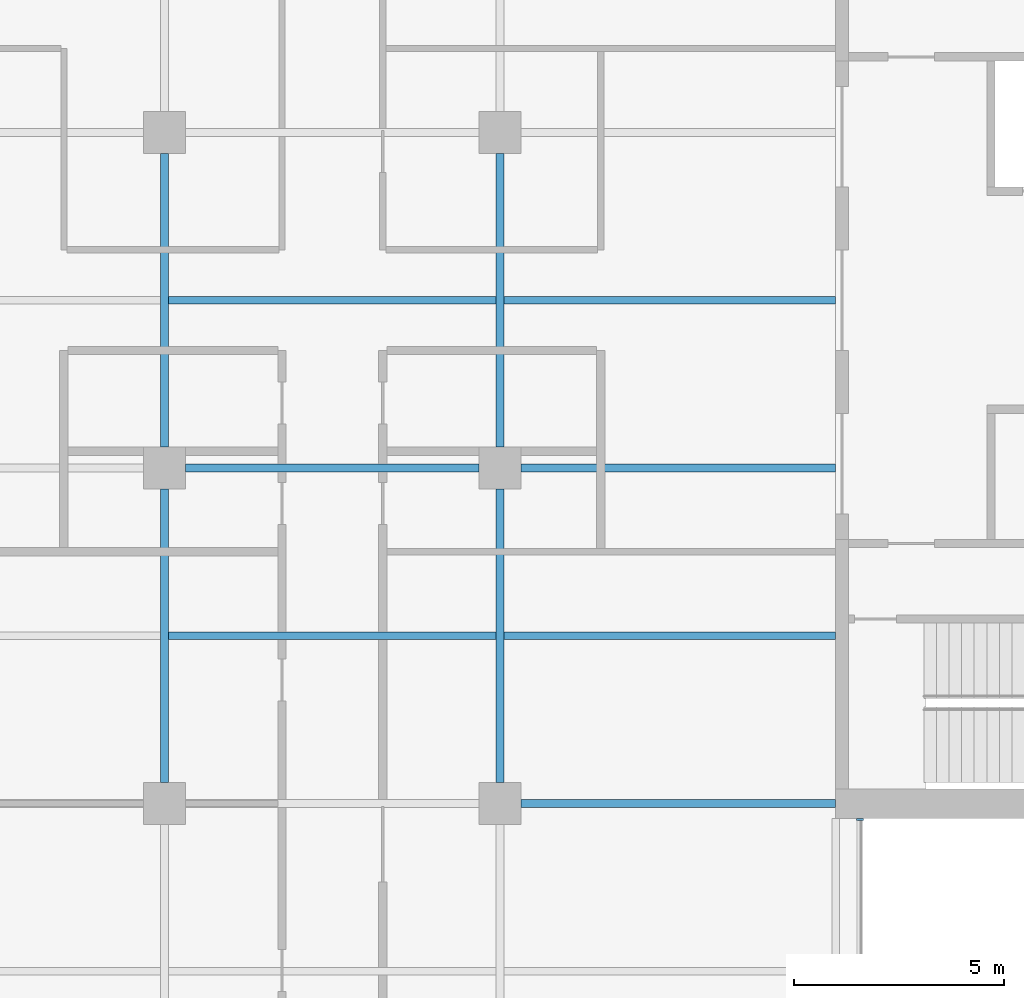
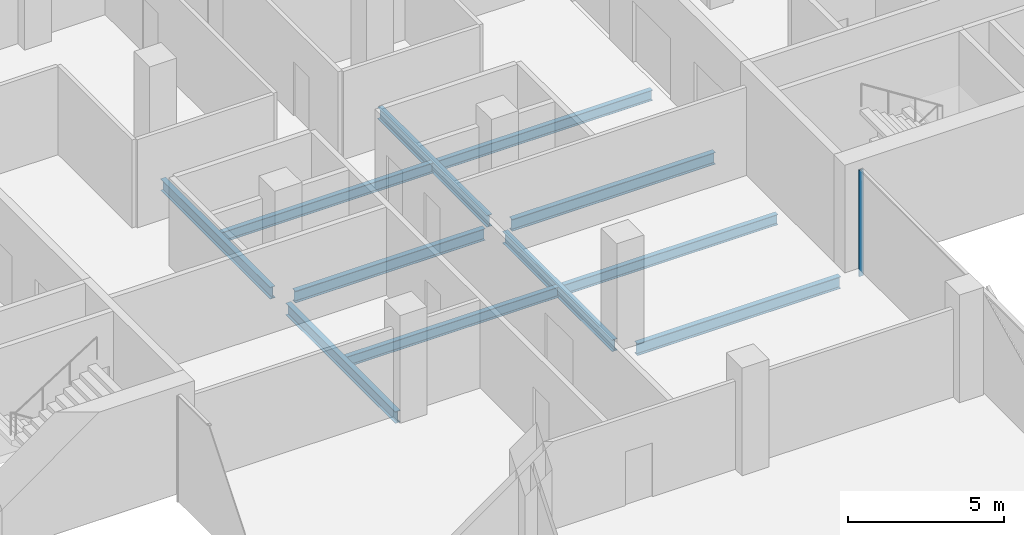
# One storey, part 6 of 22: 11 beams, 1 member, 1 element without a shape of its own.
"""IFC4 building model written with IfcOpenShell, lengths in metres."""

from ifc_helpers import new_model, si_unit, direction, frame, origin, origin_2d, place, context, subcontext, project, spatial, rectangle, i_section, extrude, material, material_profile, profile_set, type_object, element, aggregate, save


model = new_model("IFC4")

# Units and contexts
model_context = context("Model", 3, precision=1e-05, world=origin(), true_north=direction((0.0, 1.0)))
body_context = subcontext(model_context, "Body", "Model", "MODEL_VIEW")
ifc_project = project(units=[si_unit("LENGTHUNIT", "METRE"), si_unit("AREAUNIT", "SQUARE_METRE"), si_unit("VOLUMEUNIT", "CUBIC_METRE"), si_unit("PLANEANGLEUNIT", "RADIAN"), si_unit("MASSUNIT", "GRAM", prefix="KILO")], contexts=[model_context])

# Site, building, storey
site_placement = place(None, origin())
site = spatial("IfcSite", under=ifc_project, at=site_placement, CompositionType="ELEMENT")
building_placement = place(site_placement, origin())
building = spatial("IfcBuilding", under=site, at=building_placement, Name="Crosswind Convention Tower", CompositionType="ELEMENT")
storey_placement = place(building_placement, frame((0.0, 0.0, 158.89990234375)))
storey = spatial("IfcBuildingStorey", under=building, at=storey_placement, Name="L33", CompositionType="ELEMENT", Elevation=158.89990234375)

# Beams
ifc_material_1 = material(Name="Steel S355", Category="steel")
ifc_material_profile_1 = material_profile(ifc_material_1, i_section(OverallWidth=0.19140625, OverallDepth=0.460205078125, WebThickness=0.010009765625, FlangeThickness=0.01611328125, FilletRadius=0.01025390625, at=origin_2d()), Name="UB 457x191x82")
ifc_profile_set_1 = profile_set([ifc_material_profile_1], Name="Steel S355")
beam_type_1 = type_object("IfcBeamType", Name="Girder UB 457x191x82", PredefinedType="BEAM", material=ifc_profile_set_1)
for number, where, z_axis, x_axis, name in (
    (1, (121.0, 88.5, -0.530029296875), (0.0, 1.0, 0.0), (-1.0, 0.0, 0.0), "B3 L33 girder 5"),
    (2, (121.0, 96.5, -0.530029296875), (0.0, 1.0, 0.0), (-1.0, 0.0, 0.0), "B3 L33 girder 6"),
    (3, (121.5, 96.0, -0.530029296875), (1.0, 0.0, 0.0), (0.0, 1.0, 0.0), "B3 L33 girder 12"),
    (4, (129.0, 88.5, -0.530029296875), (0.0, 1.0, 0.0), (-1.0, 0.0, 0.0), "B3 L33 girder 18"),
    (5, (129.0, 96.5, -0.530029296875), (0.0, 1.0, 0.0), (-1.0, 0.0, 0.0), "B3 L33 girder 19"),
):
    element("IfcBeam", number, at=place(storey_placement, frame(where, z_axis=z_axis, x_axis=x_axis)), inside=storey, type_object=beam_type_1, Name=name, PredefinedType="BEAM", context=body_context, shape_type="SweptSolid", body=[
        extrude(i_section(OverallWidth=0.19140625, OverallDepth=0.460205078125, WebThickness=0.010009765625, FlangeThickness=0.01611328125, FilletRadius=0.01025390625, at=origin_2d()), origin(), (0.0, 0.0, 1.0), 7.0),
    ])
ifc_material_profile_2 = material_profile(ifc_material_1, i_section(OverallWidth=0.19189453125, OverallDepth=0.463623046875, WebThickness=0.010498046875, FlangeThickness=0.017578125, FilletRadius=0.01025390625, at=origin_2d()), Name="UB 457x191x90")
ifc_profile_set_2 = profile_set([ifc_material_profile_2], Name="Steel S355")
beam_type_2 = type_object("IfcBeamType", Name="Girder at core wall UB 457x191x90", PredefinedType="BEAM", material=ifc_profile_set_2)
for number, where, z_axis, x_axis, name in (
    (6, (129.5, 88.0, -0.53173828125), (1.0, 0.0, 0.0), (0.0, 1.0, 0.0), "B24 L33 girder at core wall 7"),
    (7, (129.5, 96.0, -0.53173828125), (1.0, 0.0, 0.0), (0.0, 1.0, 0.0), "B24 L33 girder at core wall 8"),
):
    element("IfcBeam", number, at=place(storey_placement, frame(where, z_axis=z_axis, x_axis=x_axis)), inside=storey, type_object=beam_type_2, Name=name, PredefinedType="BEAM", context=body_context, shape_type="SweptSolid", body=[
        extrude(i_section(OverallWidth=0.19189453125, OverallDepth=0.463623046875, WebThickness=0.010498046875, FlangeThickness=0.017578125, FilletRadius=0.01025390625, at=origin_2d()), origin(), (0.0, 0.0, 1.0), 7.5),
    ])

# Curtain wall, member
ifc_material_2 = material(Name="Aluminium unitised curtain wall", Category="aluminium")
curtain_wall_type = type_object("IfcCurtainWallType", Name="CORE END SLOT WALL 160", PredefinedType="USERDEFINED", material=ifc_material_2)
curtain_wall_placement = place(storey_placement, origin())
curtain_wall = element("IfcCurtainWall", 8, at=curtain_wall_placement, inside=storey, type_object=curtain_wall_type, Name="CW6 L33 S-E.1-2 slot", ObjectType="UNITISED", PredefinedType="USERDEFINED")
ifc_material_3 = material(Name="Aluminium mullion", Category="aluminium")
ifc_material_profile_3 = material_profile(ifc_material_3, rectangle(XDim=0.159912109375, YDim=0.050048828125, at=origin_2d()), Name="AL 160X50")
ifc_profile_set_3 = profile_set([ifc_material_profile_3], Name="Aluminium mullion")
member_type = type_object("IfcMemberType", Name="MULLION 50X160", PredefinedType="MULLION", material=ifc_profile_set_3)
member_placement = place(storey_placement, frame((137.580078125, 87.625, -0.2998046875), z_axis=(0.0, 0.0, 1.0), x_axis=(1.0, 0.0, 0.0)))
member = element("IfcMember", 9, at=member_placement, type_object=member_type, Name="CW6 mullion 2", PredefinedType="MULLION", context=body_context, shape_type="SweptSolid", body=[
    extrude(rectangle(XDim=0.159912109375, YDim=0.050048828125, at=origin_2d()), origin(), (0.0, 0.0, 1.0), 4.14990234375),
])
aggregate(curtain_wall, [member])

# Beams
ifc_material_profile_4 = material_profile(ifc_material_1, i_section(OverallWidth=0.177734375, OverallDepth=0.406494140625, WebThickness=0.0078125, FlangeThickness=0.0126953125, FilletRadius=0.01025390625, at=origin_2d()), Name="UB 406x178x60")
ifc_profile_set_4 = profile_set([ifc_material_profile_4], Name="Steel S355")
beam_type_3 = type_object("IfcBeamType", Name="Secondary beam UB 406x178x60", PredefinedType="JOIST", material=ifc_profile_set_4)
for number, where, z_axis, x_axis, name in (
    (10, (121.095703125, 92.0, -0.503173828125), (1.0, 0.0, 0.0), (0.0, 1.0, 0.0), "B10 L33 secondary beam 13"),
    (11, (121.095703125, 100.0, -0.503173828125), (1.0, 0.0, 0.0), (0.0, 1.0, 0.0), "B10 L33 secondary beam 14"),
):
    element("IfcBeam", number, at=place(storey_placement, frame(where, z_axis=z_axis, x_axis=x_axis)), inside=storey, type_object=beam_type_3, Name=name, PredefinedType="JOIST", context=body_context, shape_type="SweptSolid", body=[
        extrude(i_section(OverallWidth=0.177734375, OverallDepth=0.406494140625, WebThickness=0.0078125, FlangeThickness=0.0126953125, FilletRadius=0.01025390625, at=origin_2d()), origin(), (0.0, 0.0, 1.0), 7.80859375),
    ])
for number, where, z_axis, x_axis, name in (
    (12, (129.095703125, 92.0, -0.503173828125), (1.0, 0.0, 0.0), (0.0, 1.0, 0.0), "B10 L33 secondary beam 20"),
    (13, (129.095703125, 100.0, -0.503173828125), (1.0, 0.0, 0.0), (0.0, 1.0, 0.0), "B10 L33 secondary beam 21"),
):
    element("IfcBeam", number, at=place(storey_placement, frame(where, z_axis=z_axis, x_axis=x_axis)), inside=storey, type_object=beam_type_3, Name=name, PredefinedType="JOIST", context=body_context, shape_type="SweptSolid", body=[
        extrude(i_section(OverallWidth=0.177734375, OverallDepth=0.406494140625, WebThickness=0.0078125, FlangeThickness=0.0126953125, FilletRadius=0.01025390625, at=origin_2d()), origin(), (0.0, 0.0, 1.0), 7.904296875),
    ])

save(model, "model.ifc")
